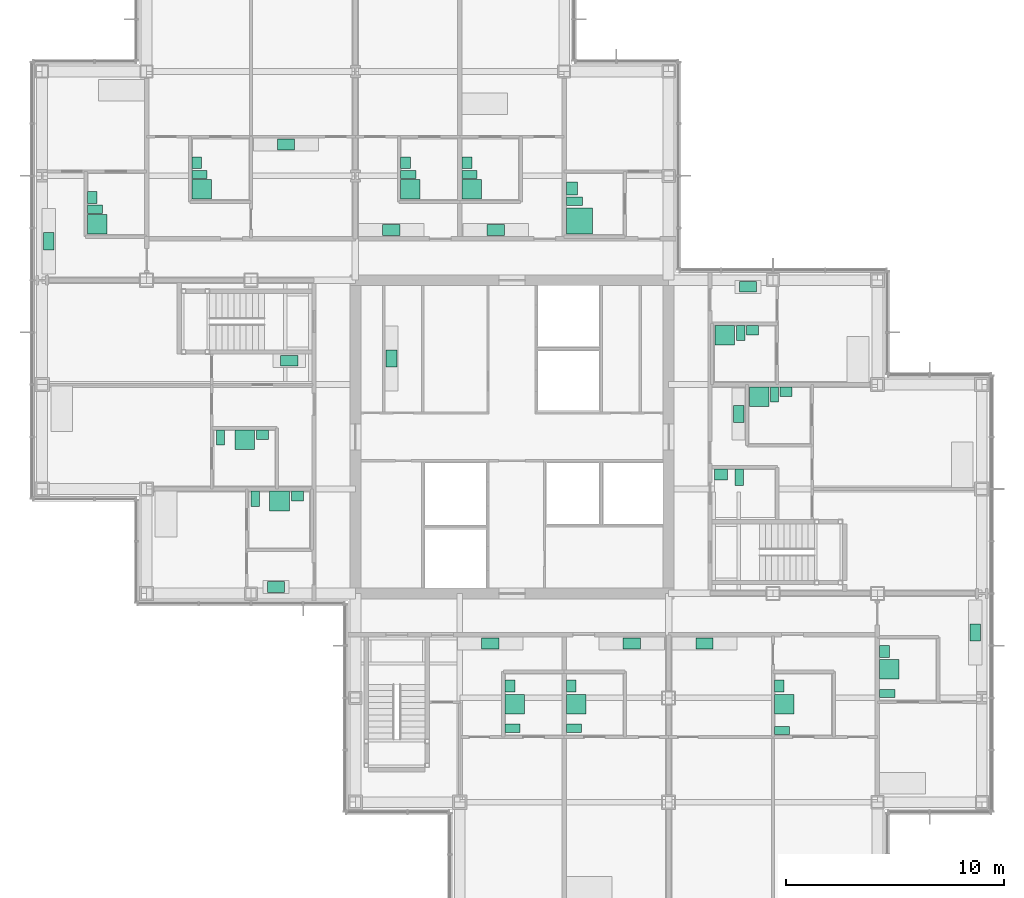
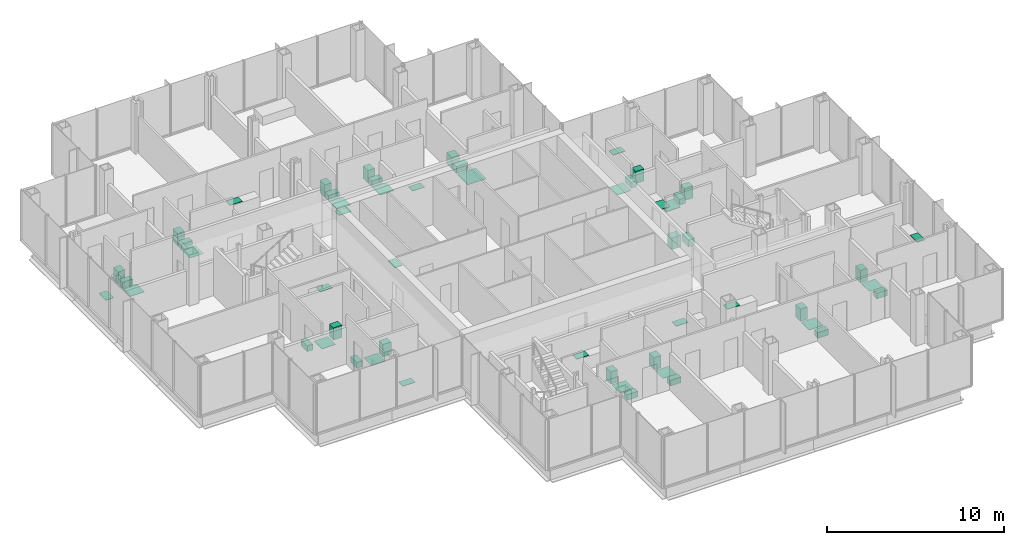
# One storey, part 19 of 20: 54 sanitary terminals.
"""IFC4 building model written with IfcOpenShell, lengths in metres."""

from ifc_helpers import new_model, si_unit, direction, frame, origin, origin_2d, place, context, subcontext, project, spatial, rectangle, extrude, material, type_object, element, save


model = new_model("IFC4")

# Units and contexts
model_context = context("Model", 3, precision=1e-05, world=origin(), true_north=direction((0.0, 1.0)))
body_context = subcontext(model_context, "Body", "Model", "MODEL_VIEW")
ifc_project = project(units=[si_unit("LENGTHUNIT", "METRE"), si_unit("AREAUNIT", "SQUARE_METRE"), si_unit("VOLUMEUNIT", "CUBIC_METRE"), si_unit("PLANEANGLEUNIT", "RADIAN"), si_unit("MASSUNIT", "GRAM", prefix="KILO")], contexts=[model_context])

# Site, building, storey
site_placement = place(None, origin())
site = spatial("IfcSite", under=ifc_project, at=site_placement, CompositionType="ELEMENT")
building_placement = place(site_placement, origin())
building = spatial("IfcBuilding", under=site, at=building_placement, Name="Kvirike Care Tower", CompositionType="ELEMENT")
storey_placement = place(building_placement, frame((0.0, 0.0, 94.5)))
storey = spatial("IfcBuildingStorey", under=building, at=storey_placement, Name="L25", CompositionType="ELEMENT", Elevation=94.5)

# Sanitary terminals
ifc_material_1 = material(Name="Vitreous china", Category="ceramic")
sanitary_terminal_type_1 = type_object("IfcSanitaryTerminalType", Name="ACCESSIBLE WASH BASIN 600 x 500", PredefinedType="WASHHANDBASIN", material=ifc_material_1)
for number, where, z_axis, x_axis, name in (
    (1, (24.35205078125, 47.425048828125, 0.02001953125), (0.0, 0.0, 1.0), (0.0, 1.0, 0.0), "Accessible wash basin L25-031"),
    (2, (31.199951171875, 34.27294921875, 0.02001953125), (0.0, 0.0, 1.0), (1.0, 0.0, 0.0), "Accessible wash basin L25-052"),
):
    element("IfcSanitaryTerminal", number, at=place(storey_placement, frame(where, z_axis=z_axis, x_axis=x_axis)), inside=storey, type_object=sanitary_terminal_type_1, Name=name, PredefinedType="WASHHANDBASIN", context=body_context, shape_type="SweptSolid", body=[
        extrude(rectangle(XDim=0.60009765625, YDim=0.5, at=origin_2d()), origin(), (0.0, 0.0, 1.0), 0.800048828125),
    ])
ifc_material_2 = material(Name="Vitreous china", Category="ceramic")
sanitary_terminal_type_2 = type_object("IfcSanitaryTerminalType", Name="ACCESSIBLE WC PAN 400 x 750", PredefinedType="TOILETPAN", material=ifc_material_2)
for number, where, z_axis, x_axis, name in (
    (3, (24.47705078125, 46.824951171875, 0.02001953125), (0.0, 0.0, 1.0), (0.0, 1.0, 0.0), "Accessible WC pan L25-031"),
    (4, (32.050048828125, 34.14794921875, 0.02001953125), (0.0, 0.0, 1.0), (1.0, 0.0, 0.0), "Accessible WC pan L25-052"),
):
    element("IfcSanitaryTerminal", number, at=place(storey_placement, frame(where, z_axis=z_axis, x_axis=x_axis)), inside=storey, type_object=sanitary_terminal_type_2, Name=name, PredefinedType="TOILETPAN", context=body_context, shape_type="SweptSolid", body=[
        extrude(rectangle(XDim=0.39990234375, YDim=0.75, at=origin_2d()), origin(), (0.0, 0.0, 1.0), 0.47998046875),
    ])
ifc_material_3 = material(Name="Stainless steel", Category="steel")
sanitary_terminal_type_3 = type_object("IfcSanitaryTerminalType", Name="KITCHEN SINK 800 x 500", PredefinedType="SINK", material=ifc_material_3)
for number, where, z_axis, x_axis, name in (
    (5, (11.360107421875, 39.498046875, 0.89990234375), (0.0, 0.0, 1.0), (1.0, 0.0, 0.0), "Kitchen sink L25-006"),
    (6, (10.75, 29.10205078125, 0.89990234375), (0.0, 0.0, 1.0), (-1.0, 0.0, 0.0), "Kitchen sink L25-010"),
    (7, (11.2099609375, 49.43798828125, 0.89990234375), (0.0, 0.0, 1.0), (1.0, 0.0, 0.0), "Kitchen sink L25-015"),
    (8, (0.302001953125, 44.9970703125, 0.89990234375), (0.0, 0.0, 1.0), (0.0, 1.0, 0.0), "Kitchen sink L25-019"),
    (9, (20.60009765625, 26.498046875, 0.89990234375), (0.0, 0.0, 1.0), (1.0, 0.0, 0.0), "Kitchen sink L25-025"),
    (10, (27.10009765625, 26.498046875, 0.89990234375), (0.0, 0.0, 1.0), (1.0, 0.0, 0.0), "Kitchen sink L25-028"),
    (11, (20.85009765625, 45.501953125, 0.89990234375), (0.0, 0.0, 1.0), (-1.0, 0.0, 0.0), "Kitchen sink L25-035"),
    (12, (16.050048828125, 45.501953125, 0.89990234375), (0.0, 0.0, 1.0), (-1.0, 0.0, 0.0), "Kitchen sink L25-038"),
    (13, (30.449951171875, 26.498046875, 0.89990234375), (0.0, 0.0, 1.0), (1.0, 0.0, 0.0), "Kitchen sink L25-043"),
    (14, (42.89794921875, 27.0029296875, 0.89990234375), (0.0, 0.0, 1.0), (0.0, -1.0, 0.0), "Kitchen sink L25-047"),
    (15, (32.02294921875, 37.050048828125, 0.89990234375), (0.0, 0.0, 1.0), (0.0, -1.0, 0.0), "Kitchen sink L25-054"),
    (16, (32.449951171875, 42.89794921875, 0.89990234375), (0.0, 0.0, 1.0), (1.0, 0.0, 0.0), "Kitchen sink L25-057"),
    (17, (16.052001953125, 39.60009765625, 0.89990234375), (0.0, 0.0, 1.0), (0.0, 1.0, 0.0), "Kitchen sink L25-064"),
):
    element("IfcSanitaryTerminal", number, at=place(storey_placement, frame(where, z_axis=z_axis, x_axis=x_axis)), inside=storey, type_object=sanitary_terminal_type_3, Name=name, PredefinedType="SINK", context=body_context, shape_type="SweptSolid", body=[
        extrude(rectangle(XDim=0.800048828125, YDim=0.5, at=origin_2d()), origin(), (0.0, 0.0, 1.0), 0.030029296875),
    ])
ifc_material_4 = material(Name="Stainless steel", Category="steel")
sanitary_terminal_type_4 = type_object("IfcSanitaryTerminalType", Name="LEVEL-ACCESS SHOWER 1200 x 1200", PredefinedType="SHOWER", material=ifc_material_4)
sanitary_terminal_placement = place(storey_placement, frame((24.701904296875, 45.925048828125, 0.02001953125), z_axis=(0.0, 0.0, 1.0), x_axis=(0.0, 1.0, 0.0)))
element("IfcSanitaryTerminal", 18, at=sanitary_terminal_placement, inside=storey, type_object=sanitary_terminal_type_4, Name="Level-access shower L25-031", PredefinedType="SHOWER", context=body_context, shape_type="SweptSolid", body=[
    extrude(rectangle(XDim=1.199951171875, YDim=1.199951171875, at=origin_2d()), origin(), (0.0, 0.0, 1.0), 0.02001953125),
])
ifc_material_5 = material(Name="Stainless steel", Category="steel")
sanitary_terminal_type_5 = type_object("IfcSanitaryTerminalType", Name="LEVEL-ACCESS SHOWER 900 x 900", PredefinedType="SHOWER", material=ifc_material_5)
for number, where, z_axis, x_axis, name in (
    (19, (9.31005859375, 35.873046875, 0.02001953125), (0.0, 0.0, 1.0), (1.0, 0.0, 0.0), "Level-access shower L25-005"),
    (20, (10.909912109375, 33.048095703125, 0.02001953125), (0.0, 0.0, 1.0), (1.0, 0.0, 0.0), "Level-access shower L25-009"),
    (21, (7.326904296875, 47.375, 0.02001953125), (0.0, 0.0, 1.0), (0.0, 1.0, 0.0), "Level-access shower L25-014"),
    (22, (2.527099609375, 45.77490234375, 0.02001953125), (0.0, 0.0, 1.0), (0.0, 1.0, 0.0), "Level-access shower L25-018"),
    (23, (21.72705078125, 23.7099609375, 0.02001953125), (0.0, 0.0, 1.0), (0.0, 1.0, 0.0), "Level-access shower L25-024"),
    (24, (24.552001953125, 23.7099609375, 0.02001953125), (0.0, 0.0, 1.0), (0.0, 1.0, 0.0), "Level-access shower L25-027"),
    (25, (19.751953125, 47.375, 0.02001953125), (0.0, 0.0, 1.0), (0.0, 1.0, 0.0), "Level-access shower L25-034"),
    (26, (16.927001953125, 47.375, 0.02001953125), (0.0, 0.0, 1.0), (0.0, 1.0, 0.0), "Level-access shower L25-037"),
    (27, (34.112060546875, 23.7099609375, 0.02001953125), (0.0, 0.0, 1.0), (0.0, 1.0, 0.0), "Level-access shower L25-042"),
    (28, (38.951904296875, 25.31005859375, 0.02001953125), (0.0, 0.0, 1.0), (0.0, 1.0, 0.0), "Level-access shower L25-046"),
    (29, (32.97509765625, 37.847900390625, 0.02001953125), (0.0, 0.0, 1.0), (1.0, 0.0, 0.0), "Level-access shower L25-053"),
    (30, (31.375, 40.673095703125, 0.02001953125), (0.0, 0.0, 1.0), (1.0, 0.0, 0.0), "Level-access shower L25-056"),
):
    element("IfcSanitaryTerminal", number, at=place(storey_placement, frame(where, z_axis=z_axis, x_axis=x_axis)), inside=storey, type_object=sanitary_terminal_type_5, Name=name, PredefinedType="SHOWER", context=body_context, shape_type="SweptSolid", body=[
        extrude(rectangle(XDim=0.89990234375, YDim=0.89990234375, at=origin_2d()), origin(), (0.0, 0.0, 1.0), 0.02001953125),
    ])
ifc_material_6 = material(Name="Vitreous china", Category="ceramic")
sanitary_terminal_type_6 = type_object("IfcSanitaryTerminalType", Name="WASH BASIN 550 x 450", PredefinedType="WASHHANDBASIN", material=ifc_material_6)
for number, where, z_axis, x_axis, name in (
    (31, (10.135009765625, 36.097900390625, 0.02001953125), (0.0, 0.0, 1.0), (1.0, 0.0, 0.0), "Wash basin L25-005"),
    (32, (11.735107421875, 33.27294921875, 0.02001953125), (0.0, 0.0, 1.0), (1.0, 0.0, 0.0), "Wash basin L25-009"),
    (33, (7.10205078125, 48.60009765625, 0.02001953125), (0.0, 0.0, 1.0), (0.0, 1.0, 0.0), "Wash basin L25-014"),
    (34, (2.302001953125, 47.0, 0.02001953125), (0.0, 0.0, 1.0), (0.0, 1.0, 0.0), "Wash basin L25-018"),
    (35, (21.501953125, 24.534912109375, 0.02001953125), (0.0, 0.0, 1.0), (0.0, 1.0, 0.0), "Wash basin L25-024"),
    (36, (24.326904296875, 24.534912109375, 0.02001953125), (0.0, 0.0, 1.0), (0.0, 1.0, 0.0), "Wash basin L25-027"),
    (37, (19.527099609375, 48.60009765625, 0.02001953125), (0.0, 0.0, 1.0), (0.0, 1.0, 0.0), "Wash basin L25-034"),
    (38, (16.701904296875, 48.60009765625, 0.02001953125), (0.0, 0.0, 1.0), (0.0, 1.0, 0.0), "Wash basin L25-037"),
    (39, (33.886962890625, 24.534912109375, 0.02001953125), (0.0, 0.0, 1.0), (0.0, 1.0, 0.0), "Wash basin L25-042"),
    (40, (38.72705078125, 26.135009765625, 0.02001953125), (0.0, 0.0, 1.0), (0.0, 1.0, 0.0), "Wash basin L25-046"),
    (41, (34.199951171875, 38.072998046875, 0.02001953125), (0.0, 0.0, 1.0), (1.0, 0.0, 0.0), "Wash basin L25-053"),
    (42, (32.64990234375, 40.89794921875, 0.02001953125), (0.0, 0.0, 1.0), (1.0, 0.0, 0.0), "Wash basin L25-056"),
):
    element("IfcSanitaryTerminal", number, at=place(storey_placement, frame(where, z_axis=z_axis, x_axis=x_axis)), inside=storey, type_object=sanitary_terminal_type_6, Name=name, PredefinedType="WASHHANDBASIN", context=body_context, shape_type="SweptSolid", body=[
        extrude(rectangle(XDim=0.550048828125, YDim=0.449951171875, at=origin_2d()), origin(), (0.0, 0.0, 1.0), 0.85009765625),
    ])
ifc_material_7 = material(Name="Vitreous china", Category="ceramic")
sanitary_terminal_type_7 = type_object("IfcSanitaryTerminalType", Name="WC PAN 380 x 700", PredefinedType="TOILETPAN", material=ifc_material_7)
for number, where, z_axis, x_axis, name in (
    (43, (8.199951171875, 35.972900390625, 0.02001953125), (0.0, 0.0, 1.0), (1.0, 0.0, 0.0), "WC pan L25-005"),
    (44, (9.800048828125, 33.14794921875, 0.02001953125), (0.0, 0.0, 1.0), (1.0, 0.0, 0.0), "WC pan L25-009"),
    (45, (7.22705078125, 48.06494140625, 0.02001953125), (0.0, 0.0, 1.0), (0.0, 1.0, 0.0), "WC pan L25-014"),
    (46, (2.427001953125, 46.465087890625, 0.02001953125), (0.0, 0.0, 1.0), (0.0, 1.0, 0.0), "WC pan L25-018"),
    (47, (21.626953125, 22.60009765625, 0.02001953125), (0.0, 0.0, 1.0), (0.0, 1.0, 0.0), "WC pan L25-024"),
    (48, (24.451904296875, 22.60009765625, 0.02001953125), (0.0, 0.0, 1.0), (0.0, 1.0, 0.0), "WC pan L25-027"),
    (49, (19.652099609375, 48.06494140625, 0.02001953125), (0.0, 0.0, 1.0), (0.0, 1.0, 0.0), "WC pan L25-034"),
    (50, (16.826904296875, 48.06494140625, 0.02001953125), (0.0, 0.0, 1.0), (0.0, 1.0, 0.0), "WC pan L25-037"),
    (51, (34.011962890625, 22.5, 0.02001953125), (0.0, 0.0, 1.0), (0.0, 1.0, 0.0), "WC pan L25-042"),
    (52, (38.85205078125, 24.199951171875, 0.02001953125), (0.0, 0.0, 1.0), (0.0, 1.0, 0.0), "WC pan L25-046"),
    (53, (33.6650390625, 37.947998046875, 0.02001953125), (0.0, 0.0, 1.0), (1.0, 0.0, 0.0), "WC pan L25-053"),
    (54, (32.114990234375, 40.77294921875, 0.02001953125), (0.0, 0.0, 1.0), (1.0, 0.0, 0.0), "WC pan L25-056"),
):
    element("IfcSanitaryTerminal", number, at=place(storey_placement, frame(where, z_axis=z_axis, x_axis=x_axis)), inside=storey, type_object=sanitary_terminal_type_7, Name=name, PredefinedType="TOILETPAN", context=body_context, shape_type="SweptSolid", body=[
        extrude(rectangle(XDim=0.3798828125, YDim=0.699951171875, at=origin_2d()), origin(), (0.0, 0.0, 1.0), 0.39990234375),
    ])

save(model, "model.ifc")
